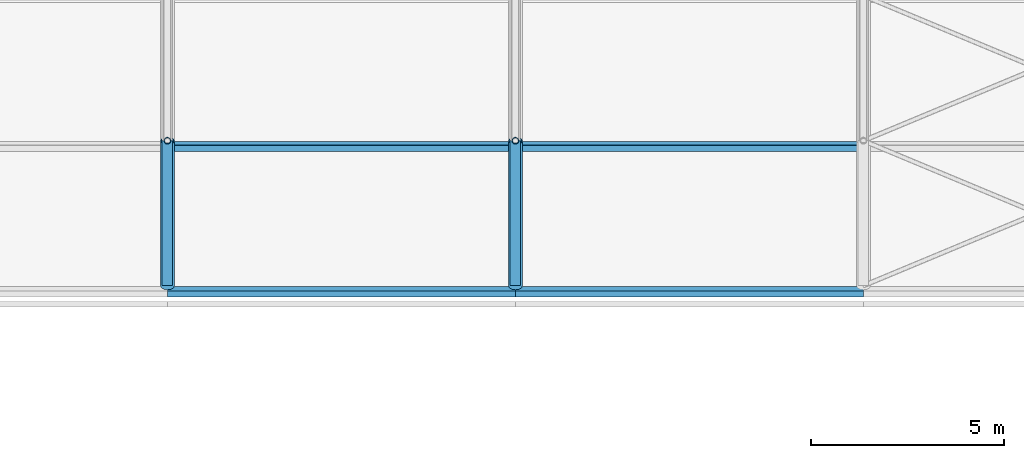
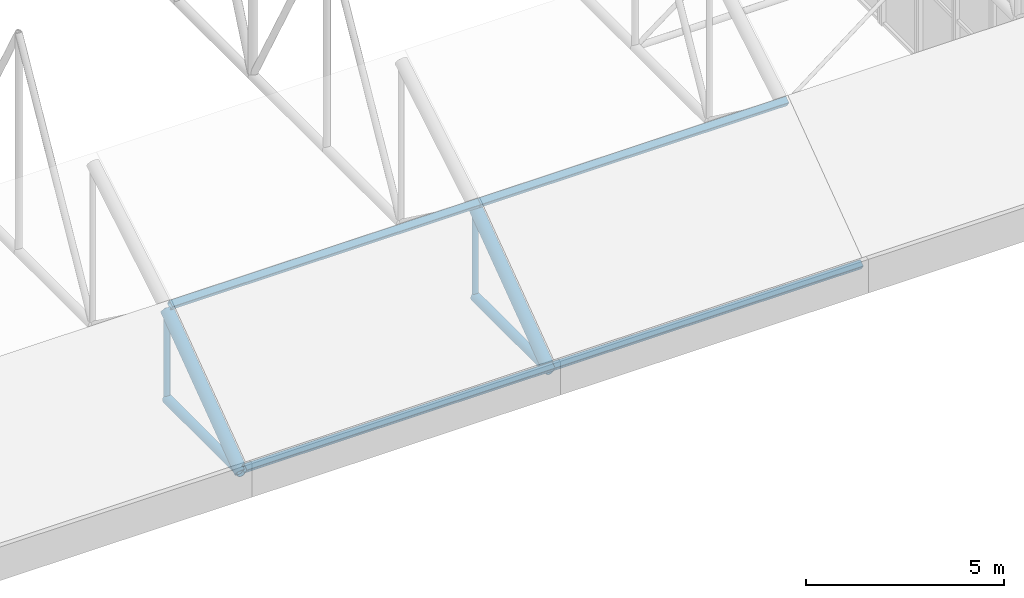
# One storey, part 58 of 153: 10 members.
"""IFC4 building model written with IfcOpenShell, lengths in metres."""

from ifc_helpers import new_model, si_unit, direction, frame, origin, origin_2d, place, context, subcontext, project, spatial, hollow_rectangle, hollow_circle, extrude, material, material_profile, profile_set, type_object, element, save


model = new_model("IFC4")

# Units and contexts
model_context = context("Model", 3, precision=1e-05, world=origin(), true_north=direction((0.0, 1.0)))
body_context = subcontext(model_context, "Body", "Model", "MODEL_VIEW")
ifc_project = project(units=[si_unit("LENGTHUNIT", "METRE"), si_unit("AREAUNIT", "SQUARE_METRE"), si_unit("VOLUMEUNIT", "CUBIC_METRE"), si_unit("PLANEANGLEUNIT", "RADIAN"), si_unit("MASSUNIT", "GRAM", prefix="KILO")], contexts=[model_context])

# Site, building, storey
site_placement = place(None, origin())
site = spatial("IfcSite", under=ifc_project, at=site_placement, CompositionType="ELEMENT")
building_placement = place(site_placement, origin())
building = spatial("IfcBuilding", under=site, at=building_placement, Name="Baradari Gate Terminus", CompositionType="ELEMENT")
storey_placement = place(building_placement, frame((0.0, 0.0, 11.699951171875)))
storey = spatial("IfcBuildingStorey", under=building, at=storey_placement, Name="L02", CompositionType="ELEMENT", Elevation=11.699951171875)

# Members
ifc_material_1 = material(Name="Steel S355", Category="steel")
ifc_material_profile_1 = material_profile(ifc_material_1, hollow_circle(Radius=0.136474609375, WallThickness=0.012451171875, at=origin_2d()), Name="CHS 273x12.5")
ifc_profile_set_1 = profile_set([ifc_material_profile_1], Name="Steel S355")
member_type_1 = type_object("IfcMemberType", Name="Shed bottom chord CHS 273x12.5", PredefinedType="CHORD", material=ifc_profile_set_1)
for number, where, z_axis, x_axis, name in (
    (1, (216.0, 36.0, 0.136474609375), (0.0, 1.0, 0.0), (-1.0, 0.0, 0.0), "TR/L02/S216-BC00"),
    (2, (225.0, 36.0, 0.136474609375), (0.0, 1.0, 0.0), (-1.0, 0.0, 0.0), "TR/L02/S225-BC00"),
):
    element("IfcMember", number, at=place(storey_placement, frame(where, z_axis=z_axis, x_axis=x_axis)), inside=storey, type_object=member_type_1, Name=name, PredefinedType="CHORD", context=body_context, shape_type="SweptSolid", body=[
        extrude(hollow_circle(Radius=0.136474609375, WallThickness=0.012451171875, at=origin_2d()), origin(), (0.0, 0.0, 1.0), 3.75),
    ])
ifc_material_2 = material(Name="Steel S355", Category="steel")
ifc_material_profile_2 = material_profile(ifc_material_2, hollow_rectangle(XDim=0.199951171875, YDim=0.199951171875, WallThickness=0.008056640625, InnerFilletRadius=0.008056640625, OuterFilletRadius=0.01611328125, at=origin_2d()), Name="SHS 200x200x8")
ifc_profile_set_2 = profile_set([ifc_material_profile_2], Name="Steel S355")
member_type_2 = type_object("IfcMemberType", Name="Shed purlin SHS 200x200x8", PredefinedType="PURLIN", material=ifc_profile_set_2)
for number, where, z_axis, x_axis, name in (
    (3, (216.0, 35.8427734375, 0.350830078125), (1.0, 0.0, 0.0), (0.0, 0.80640499586, 0.591363663621), "TR/L02/B225-PU00"),
    (4, (216.0, 39.602783203125, 3.10791015625), (1.0, 0.0, 0.0), (0.0, 0.832836263724, 0.55351942859), "TR/L02/B225-PU01"),
    (5, (225.0, 35.8427734375, 0.350830078125), (1.0, 0.0, 0.0), (0.0, 0.80640499586, 0.591363663621), "TR/L02/B234-PU00"),
    (6, (225.0, 39.602783203125, 3.10791015625), (1.0, 0.0, 0.0), (0.0, 0.832836263724, 0.55351942859), "TR/L02/B234-PU01"),
):
    element("IfcMember", number, at=place(storey_placement, frame(where, z_axis=z_axis, x_axis=x_axis)), inside=storey, type_object=member_type_2, Name=name, PredefinedType="PURLIN", context=body_context, shape_type="SweptSolid", body=[
        extrude(hollow_rectangle(XDim=0.199951171875, YDim=0.199951171875, WallThickness=0.008056640625, InnerFilletRadius=0.008056640625, OuterFilletRadius=0.01611328125, at=origin_2d()), origin(), (0.0, 0.0, 1.0), 9.0),
    ])
ifc_material_3 = material(Name="Steel S355", Category="steel")
ifc_material_profile_3 = material_profile(ifc_material_3, hollow_circle(Radius=0.177734375, WallThickness=0.01611328125, at=origin_2d()), Name="CHS 355.6x16")
ifc_profile_set_3 = profile_set([ifc_material_profile_3], Name="Steel S355")
member_type_3 = type_object("IfcMemberType", Name="Shed top chord CHS 355.6x16", PredefinedType="CHORD", material=ifc_profile_set_3)
for number, where, z_axis, x_axis, name in (
    (7, (216.0, 36.0, 0.136474609375), (0.0, 0.806404995856, 0.591363663628), (-1.0, 0.0, 0.0), "TR/L02/S216-TC00"),
    (8, (225.0, 36.0, 0.136474609375), (0.0, 0.806404995856, 0.591363663628), (-1.0, 0.0, 0.0), "TR/L02/S225-TC00"),
):
    element("IfcMember", number, at=place(storey_placement, frame(where, z_axis=z_axis, x_axis=x_axis)), inside=storey, type_object=member_type_3, Name=name, PredefinedType="CHORD", context=body_context, shape_type="SweptSolid", body=[
        extrude(hollow_circle(Radius=0.177734375, WallThickness=0.01611328125, at=origin_2d()), origin(), (0.0, 0.0, 1.0), 4.650390625),
    ])
ifc_material_4 = material(Name="Steel S355", Category="steel")
ifc_material_profile_4 = material_profile(ifc_material_4, hollow_circle(Radius=0.084228515625, WallThickness=0.008056640625, at=origin_2d()), Name="CHS 168.3x8")
ifc_profile_set_4 = profile_set([ifc_material_profile_4], Name="Steel S355")
member_type_4 = type_object("IfcMemberType", Name="Shed truss post CHS 168.3x8", PredefinedType="POST", material=ifc_profile_set_4)
for number, where, z_axis, x_axis, name in (
    (9, (216.0, 39.75, 0.136474609375), (0.0, 0.0, 1.0), (1.0, 0.0, 0.0), "TR/L02/S216-SP01"),
    (10, (225.0, 39.75, 0.136474609375), (0.0, 0.0, 1.0), (1.0, 0.0, 0.0), "TR/L02/S225-SP01"),
):
    element("IfcMember", number, at=place(storey_placement, frame(where, z_axis=z_axis, x_axis=x_axis)), inside=storey, type_object=member_type_4, Name=name, PredefinedType="POST", context=body_context, shape_type="SweptSolid", body=[
        extrude(hollow_circle(Radius=0.084228515625, WallThickness=0.008056640625, at=origin_2d()), origin(), (0.0, 0.0, 1.0), 2.75),
    ])

save(model, "model.ifc")
